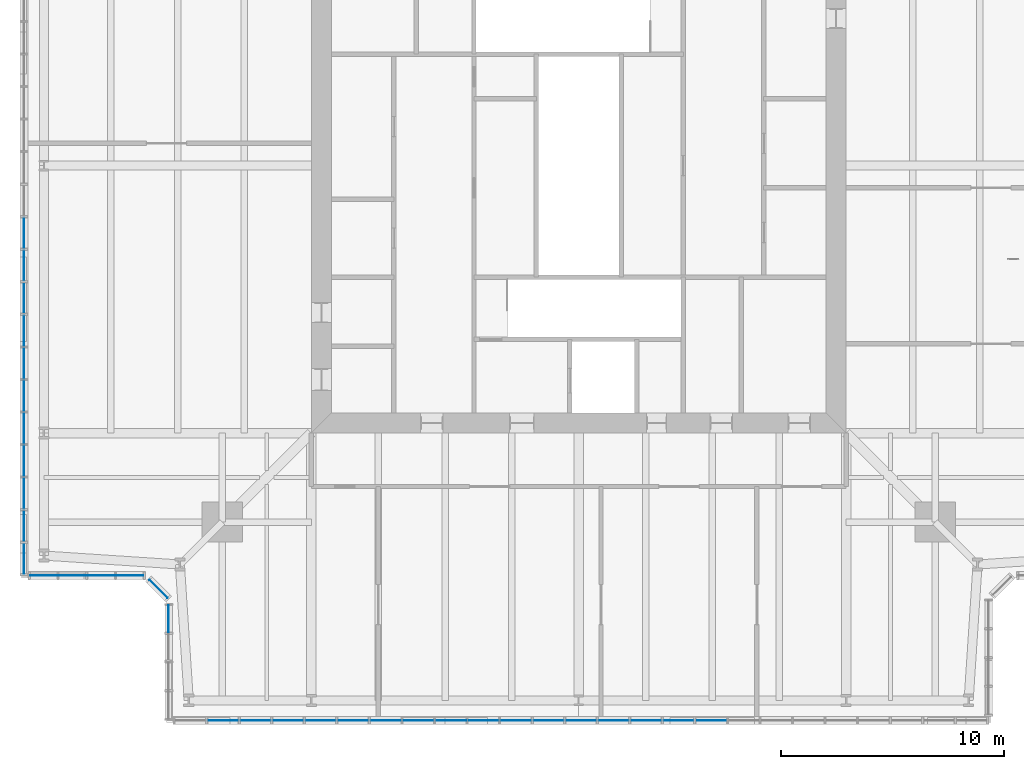
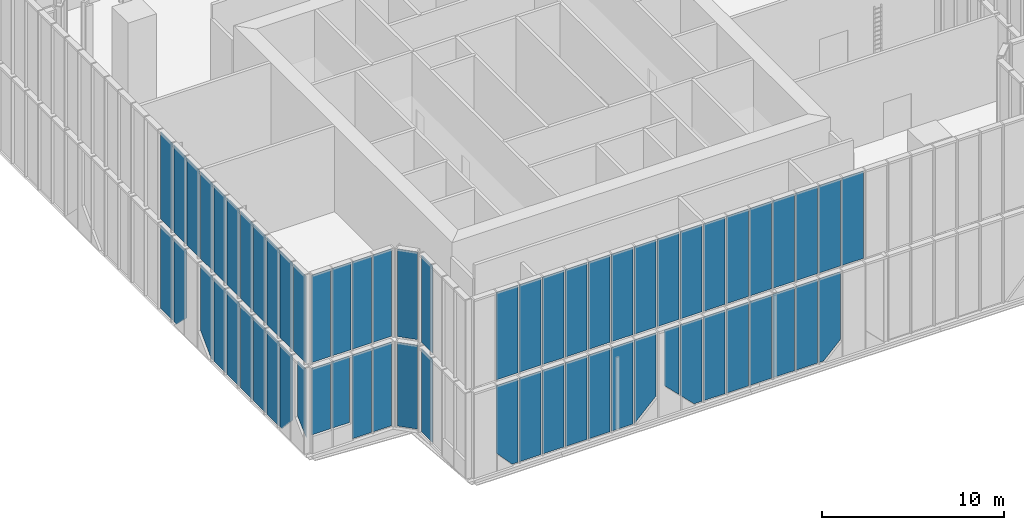
# One storey, part 13 of 25: 64 plates, 10 elements without a shape of their own.
"""IFC4 building model written with IfcOpenShell, lengths in metres."""

from ifc_helpers import new_model, si_unit, direction, frame, origin, origin_2d, place, context, subcontext, project, spatial, polyline, rectangle, outline, extrude, material, layer, layer_set, type_object, element, aggregate, save


model = new_model("IFC4")

# Units and contexts
model_context = context("Model", 3, precision=1e-05, world=origin(), true_north=direction((0.0, 1.0)))
body_context = subcontext(model_context, "Body", "Model", "MODEL_VIEW")
ifc_project = project(units=[si_unit("LENGTHUNIT", "METRE"), si_unit("AREAUNIT", "SQUARE_METRE"), si_unit("VOLUMEUNIT", "CUBIC_METRE"), si_unit("PLANEANGLEUNIT", "RADIAN"), si_unit("MASSUNIT", "GRAM", prefix="KILO")], contexts=[model_context])

# Site, building, storey
site_placement = place(None, origin())
site = spatial("IfcSite", under=ifc_project, at=site_placement, CompositionType="ELEMENT")
building_placement = place(site_placement, origin())
building = spatial("IfcBuilding", under=site, at=building_placement, Name="Fenwick Lantern Interchange", CompositionType="ELEMENT")
storey_placement = place(building_placement, frame((0.0, 0.0, 307.800048828125)))
storey = spatial("IfcBuildingStorey", under=building, at=storey_placement, Name="L74", CompositionType="ELEMENT", Elevation=307.800048828125)

# Curtain wall, plates
ifc_material_1 = material(Name="Aluminium curtain wall frame", Category="aluminium")
curtain_wall_type = type_object("IfcCurtainWallType", Name="LANTERN GLAZING", PredefinedType="USERDEFINED", material=ifc_material_1)
curtain_wall_1_placement = place(storey_placement, origin())
curtain_wall_1 = element("IfcCurtainWall", 1, at=curtain_wall_1_placement, inside=storey, type_object=curtain_wall_type, Name="Lantern glazing 01", ObjectType="LANTERN GLAZING", PredefinedType="USERDEFINED")
ifc_material_2 = material(Name="Lantern glass, fritted laminated single glazing", Category="glass")
ifc_layer = layer(ifc_material_2, 0.02197265625)
ifc_layer_set = layer_set([ifc_layer], Name="LANTERN GLAZING PANEL 22")
plate_type = type_object("IfcPlateType", Name="LANTERN GLAZING PANEL 22", PredefinedType="CURTAIN_PANEL", material=ifc_layer_set)
plate_1_placement = place(storey_placement, frame((6.60009765625, 0.10009765625, 0.0), z_axis=(0.0, 0.0, 1.0), x_axis=(1.0, 0.0, 0.0)))
plate_1 = element("IfcPlate", 2, at=plate_1_placement, type_object=plate_type, Name="L74/CW/01/P01a", PredefinedType="CURTAIN_PANEL", context=body_context, shape_type="SweptSolid", body=[
    extrude(outline(polyline([(2.74609375, 0.0), (3.12158203125, 0.0), (3.12158203125, 5.60986328125), (1.74072265625, 5.60986328125), (1.74072265625, 1.096435546875), (2.74609375, 0.0)])), frame((0.0, 0.010986328125, 0.0), z_axis=(0.0, -1.0, 0.0), x_axis=(1.0, 0.0, 0.0)), (0.0, 0.0, 1.0), 0.02197265625),
])
plate_2_placement = place(storey_placement, frame((10.491943359375, 0.10009765625, 0.0), z_axis=(0.0, 0.0, 1.0), x_axis=(1.0, 0.0, 0.0)))
plate_2 = element("IfcPlate", 3, at=plate_2_placement, type_object=plate_type, Name="L74/CW/01/P02", PredefinedType="CURTAIN_PANEL", context=body_context, shape_type="SweptSolid", body=[
    extrude(rectangle(XDim=1.380859375, YDim=0.02197265625, at=origin_2d()), origin(), (0.0, 0.0, 1.0), 5.610107421875),
])
plate_3_placement = place(storey_placement, frame((11.952880859375, 0.10009765625, 0.0), z_axis=(0.0, 0.0, 1.0), x_axis=(1.0, 0.0, 0.0)))
plate_3 = element("IfcPlate", 4, at=plate_3_placement, type_object=plate_type, Name="L74/CW/01/P03", PredefinedType="CURTAIN_PANEL", context=body_context, shape_type="SweptSolid", body=[
    extrude(rectangle(XDim=1.380859375, YDim=0.02197265625, at=origin_2d()), origin(), (0.0, 0.0, 1.0), 5.610107421875),
])
plate_4_placement = place(storey_placement, frame((13.41357421875, 0.10009765625, 0.0), z_axis=(0.0, 0.0, 1.0), x_axis=(1.0, 0.0, 0.0)))
plate_4 = element("IfcPlate", 5, at=plate_4_placement, type_object=plate_type, Name="L74/CW/01/P04", PredefinedType="CURTAIN_PANEL", context=body_context, shape_type="SweptSolid", body=[
    extrude(rectangle(XDim=1.380859375, YDim=0.02197265625, at=origin_2d()), origin(), (0.0, 0.0, 1.0), 5.610107421875),
])
plate_5_placement = place(storey_placement, frame((14.87451171875, 0.10009765625, 0.0), z_axis=(0.0, 0.0, 1.0), x_axis=(1.0, 0.0, 0.0)))
plate_5 = element("IfcPlate", 6, at=plate_5_placement, type_object=plate_type, Name="L74/CW/01/P05", PredefinedType="CURTAIN_PANEL", context=body_context, shape_type="SweptSolid", body=[
    extrude(rectangle(XDim=1.380859375, YDim=0.02197265625, at=origin_2d()), origin(), (0.0, 0.0, 1.0), 5.610107421875),
])
plate_6_placement = place(storey_placement, frame((16.335205078125, 0.10009765625, 0.0), z_axis=(0.0, 0.0, 1.0), x_axis=(1.0, 0.0, 0.0)))
plate_6 = element("IfcPlate", 7, at=plate_6_placement, type_object=plate_type, Name="L74/CW/01/P06", PredefinedType="CURTAIN_PANEL", context=body_context, shape_type="SweptSolid", body=[
    extrude(rectangle(XDim=1.380859375, YDim=0.02197265625, at=origin_2d()), origin(), (0.0, 0.0, 1.0), 5.610107421875),
])
plate_7_placement = place(storey_placement, frame((6.60009765625, 0.10009765625, 0.001220703125), z_axis=(0.0, 0.0, 1.0), x_axis=(1.0, 0.0, 0.0)))
plate_7 = element("IfcPlate", 8, at=plate_7_placement, type_object=plate_type, Name="L74/CW/01/P07a", PredefinedType="CURTAIN_PANEL", context=body_context, shape_type="SweptSolid", body=[
    extrude(outline(polyline([(10.505615234375, 0.0), (11.886474609375, 1.380615234375), (11.886474609375, 5.608642578125), (10.505615234375, 5.608642578125), (10.505615234375, 0.0)])), frame((0.0, 0.010986328125, 0.0), z_axis=(0.0, -1.0, 0.0), x_axis=(1.0, 0.0, 0.0)), (0.0, 0.0, 1.0), 0.02197265625),
])
plate_8_placement = place(storey_placement, frame((6.60009765625, 0.10009765625, 0.9482421875), z_axis=(0.0, 0.0, 1.0), x_axis=(1.0, 0.0, 0.0)))
plate_8 = element("IfcPlate", 9, at=plate_8_placement, type_object=plate_type, Name="L74/CW/01/P08a", PredefinedType="CURTAIN_PANEL", context=body_context, shape_type="SweptSolid", body=[
    extrude(outline(polyline([(13.34716796875, 0.0), (13.34716796875, 4.66162109375), (12.39990234375, 4.66162109375), (12.39990234375, 0.947265625), (13.34716796875, 0.0)])), frame((0.0, 0.010986328125, 0.0), z_axis=(0.0, -1.0, 0.0), x_axis=(1.0, 0.0, 0.0)), (0.0, 0.0, 1.0), 0.02197265625),
])
plate_9_placement = place(storey_placement, frame((6.60009765625, 0.10009765625, 0.0), z_axis=(0.0, 0.0, 1.0), x_axis=(1.0, 0.0, 0.0)))
plate_9 = element("IfcPlate", 10, at=plate_9_placement, type_object=plate_type, Name="L74/CW/01/P09a", PredefinedType="CURTAIN_PANEL", context=body_context, shape_type="SweptSolid", body=[
    extrude(outline(polyline([(14.295654296875, 0.0), (14.80810546875, 0.0), (14.80810546875, 5.60986328125), (13.42724609375, 5.60986328125), (13.42724609375, 0.868408203125), (14.295654296875, 0.0)])), frame((0.0, 0.010986328125, 0.0), z_axis=(0.0, -1.0, 0.0), x_axis=(1.0, 0.0, 0.0)), (0.0, 0.0, 1.0), 0.02197265625),
])
plate_10_placement = place(storey_placement, frame((22.178466796875, 0.10009765625, 0.0), z_axis=(0.0, 0.0, 1.0), x_axis=(1.0, 0.0, 0.0)))
plate_10 = element("IfcPlate", 11, at=plate_10_placement, type_object=plate_type, Name="L74/CW/01/P10", PredefinedType="CURTAIN_PANEL", context=body_context, shape_type="SweptSolid", body=[
    extrude(rectangle(XDim=1.380859375, YDim=0.02197265625, at=origin_2d()), origin(), (0.0, 0.0, 1.0), 5.610107421875),
])
plate_11_placement = place(storey_placement, frame((23.63916015625, 0.10009765625, 0.0), z_axis=(0.0, 0.0, 1.0), x_axis=(1.0, 0.0, 0.0)))
plate_11 = element("IfcPlate", 12, at=plate_11_placement, type_object=plate_type, Name="L74/CW/01/P11", PredefinedType="CURTAIN_PANEL", context=body_context, shape_type="SweptSolid", body=[
    extrude(rectangle(XDim=1.380859375, YDim=0.02197265625, at=origin_2d()), origin(), (0.0, 0.0, 1.0), 5.610107421875),
])
plate_12_placement = place(storey_placement, frame((25.10009765625, 0.10009765625, 0.0), z_axis=(0.0, 0.0, 1.0), x_axis=(1.0, 0.0, 0.0)))
plate_12 = element("IfcPlate", 13, at=plate_12_placement, type_object=plate_type, Name="L74/CW/01/P12", PredefinedType="CURTAIN_PANEL", context=body_context, shape_type="SweptSolid", body=[
    extrude(rectangle(XDim=1.380859375, YDim=0.02197265625, at=origin_2d()), origin(), (0.0, 0.0, 1.0), 5.610107421875),
])
plate_13_placement = place(storey_placement, frame((26.560791015625, 0.10009765625, 0.0), z_axis=(0.0, 0.0, 1.0), x_axis=(1.0, 0.0, 0.0)))
plate_13 = element("IfcPlate", 14, at=plate_13_placement, type_object=plate_type, Name="L74/CW/01/P13", PredefinedType="CURTAIN_PANEL", context=body_context, shape_type="SweptSolid", body=[
    extrude(rectangle(XDim=1.380859375, YDim=0.02197265625, at=origin_2d()), origin(), (0.0, 0.0, 1.0), 5.610107421875),
])
plate_14_placement = place(storey_placement, frame((28.021484375, 0.10009765625, 0.0), z_axis=(0.0, 0.0, 1.0), x_axis=(1.0, 0.0, 0.0)))
plate_14 = element("IfcPlate", 15, at=plate_14_placement, type_object=plate_type, Name="L74/CW/01/P14", PredefinedType="CURTAIN_PANEL", context=body_context, shape_type="SweptSolid", body=[
    extrude(rectangle(XDim=1.380859375, YDim=0.02197265625, at=origin_2d()), origin(), (0.0, 0.0, 1.0), 5.610107421875),
])
plate_15_placement = place(storey_placement, frame((6.60009765625, 0.10009765625, 0.0), z_axis=(0.0, 0.0, 1.0), x_axis=(1.0, 0.0, 0.0)))
plate_15 = element("IfcPlate", 16, at=plate_15_placement, type_object=plate_type, Name="L74/CW/01/P15a", PredefinedType="CURTAIN_PANEL", context=body_context, shape_type="SweptSolid", body=[
    extrude(outline(polyline([(22.19189453125, 0.0), (22.50439453125, 0.0), (23.57275390625, 1.068359375), (23.57275390625, 5.60986328125), (22.19189453125, 5.60986328125), (22.19189453125, 0.0)])), frame((0.0, 0.010986328125, 0.0), z_axis=(0.0, -1.0, 0.0), x_axis=(1.0, 0.0, 0.0)), (0.0, 0.0, 1.0), 0.02197265625),
])
aggregate(curtain_wall_1, [plate_1, plate_2, plate_3, plate_4, plate_5, plate_6, plate_7, plate_8, plate_9, plate_10, plate_11, plate_12, plate_13, plate_14, plate_15])

curtain_wall_2_placement = place(storey_placement, origin())
curtain_wall_2 = element("IfcCurtainWall", 17, at=curtain_wall_2_placement, inside=storey, type_object=curtain_wall_type, Name="Lantern glazing 13", ObjectType="LANTERN GLAZING", PredefinedType="USERDEFINED")
plate_16_placement = place(storey_placement, frame((0.10009765625, 21.978515625, 0.0), z_axis=(0.0, 0.0, 1.0), x_axis=(0.0, -1.0, 0.0)))
plate_16 = element("IfcPlate", 18, at=plate_16_placement, type_object=plate_type, Name="L74/CW/13/P14", PredefinedType="CURTAIN_PANEL", context=body_context, shape_type="SweptSolid", body=[
    extrude(rectangle(XDim=1.380859375, YDim=0.02197265625, at=origin_2d()), origin(), (0.0, 0.0, 1.0), 5.610107421875),
])
plate_17_placement = place(storey_placement, frame((0.10009765625, 43.39990234375, 0.0), z_axis=(0.0, 0.0, 1.0), x_axis=(0.0, -1.0, 0.0)))
plate_17 = element("IfcPlate", 19, at=plate_17_placement, type_object=plate_type, Name="L74/CW/13/P15a", PredefinedType="CURTAIN_PANEL", context=body_context, shape_type="SweptSolid", body=[
    extrude(outline(polyline([(22.19189453125, 0.0), (22.50439453125, 0.0), (23.57275390625, 1.068359375), (23.57275390625, 5.60986328125), (22.19189453125, 5.60986328125), (22.19189453125, 0.0)])), frame((0.0, 0.010986328125, 0.0), z_axis=(0.0, -1.0, 0.0), x_axis=(1.0, 0.0, 0.0)), (0.0, 0.0, 1.0), 0.02197265625),
])
plate_18_placement = place(storey_placement, frame((0.10009765625, 43.39990234375, 0.0), z_axis=(0.0, 0.0, 1.0), x_axis=(0.0, -1.0, 0.0)))
plate_18 = element("IfcPlate", 20, at=plate_18_placement, type_object=plate_type, Name="L74/CW/13/P17a", PredefinedType="CURTAIN_PANEL", context=body_context, shape_type="SweptSolid", body=[
    extrude(outline(polyline([(26.295654296875, 0.0), (26.494384765625, 0.0), (26.494384765625, 5.60986328125), (25.113525390625, 5.60986328125), (25.113525390625, 1.181884765625), (26.295654296875, 0.0)])), frame((0.0, 0.010986328125, 0.0), z_axis=(0.0, -1.0, 0.0), x_axis=(1.0, 0.0, 0.0)), (0.0, 0.0, 1.0), 0.02197265625),
])
plate_19_placement = place(storey_placement, frame((0.10009765625, 16.13525390625, 0.0), z_axis=(0.0, 0.0, 1.0), x_axis=(0.0, -1.0, 0.0)))
plate_19 = element("IfcPlate", 21, at=plate_19_placement, type_object=plate_type, Name="L74/CW/13/P18", PredefinedType="CURTAIN_PANEL", context=body_context, shape_type="SweptSolid", body=[
    extrude(rectangle(XDim=1.380859375, YDim=0.02197265625, at=origin_2d()), origin(), (0.0, 0.0, 1.0), 5.610107421875),
])
plate_20_placement = place(storey_placement, frame((0.10009765625, 14.67431640625, 0.0), z_axis=(0.0, 0.0, 1.0), x_axis=(0.0, -1.0, 0.0)))
plate_20 = element("IfcPlate", 22, at=plate_20_placement, type_object=plate_type, Name="L74/CW/13/P19", PredefinedType="CURTAIN_PANEL", context=body_context, shape_type="SweptSolid", body=[
    extrude(rectangle(XDim=1.380859375, YDim=0.02197265625, at=origin_2d()), origin(), (0.0, 0.0, 1.0), 5.610107421875),
])
plate_21_placement = place(storey_placement, frame((0.10009765625, 13.213623046875, 0.0), z_axis=(0.0, 0.0, 1.0), x_axis=(0.0, -1.0, 0.0)))
plate_21 = element("IfcPlate", 23, at=plate_21_placement, type_object=plate_type, Name="L74/CW/13/P20", PredefinedType="CURTAIN_PANEL", context=body_context, shape_type="SweptSolid", body=[
    extrude(rectangle(XDim=1.380859375, YDim=0.02197265625, at=origin_2d()), origin(), (0.0, 0.0, 1.0), 5.610107421875),
])
plate_22_placement = place(storey_placement, frame((0.10009765625, 11.752685546875, 0.0), z_axis=(0.0, 0.0, 1.0), x_axis=(0.0, -1.0, 0.0)))
plate_22 = element("IfcPlate", 24, at=plate_22_placement, type_object=plate_type, Name="L74/CW/13/P21", PredefinedType="CURTAIN_PANEL", context=body_context, shape_type="SweptSolid", body=[
    extrude(rectangle(XDim=1.380859375, YDim=0.02197265625, at=origin_2d()), origin(), (0.0, 0.0, 1.0), 5.610107421875),
])
plate_23_placement = place(storey_placement, frame((0.10009765625, 10.2919921875, 0.0), z_axis=(0.0, 0.0, 1.0), x_axis=(0.0, -1.0, 0.0)))
plate_23 = element("IfcPlate", 25, at=plate_23_placement, type_object=plate_type, Name="L74/CW/13/P22", PredefinedType="CURTAIN_PANEL", context=body_context, shape_type="SweptSolid", body=[
    extrude(rectangle(XDim=1.380859375, YDim=0.02197265625, at=origin_2d()), origin(), (0.0, 0.0, 1.0), 5.610107421875),
])
plate_24_placement = place(storey_placement, frame((0.10009765625, 43.39990234375, 0.0), z_axis=(0.0, 0.0, 1.0), x_axis=(0.0, -1.0, 0.0)))
plate_24 = element("IfcPlate", 26, at=plate_24_placement, type_object=plate_type, Name="L74/CW/13/P23a", PredefinedType="CURTAIN_PANEL", context=body_context, shape_type="SweptSolid", body=[
    extrude(outline(polyline([(33.87841796875, 0.0), (34.053955078125, 0.0), (35.25927734375, 1.314697265625), (35.25927734375, 5.60986328125), (33.87841796875, 5.60986328125), (33.87841796875, 0.0)])), frame((0.0, 0.010986328125, 0.0), z_axis=(0.0, -1.0, 0.0), x_axis=(1.0, 0.0, 0.0)), (0.0, 0.0, 1.0), 0.02197265625),
])
plate_25_placement = place(storey_placement, frame((0.10009765625, 43.39990234375, 1.0400390625), z_axis=(0.0, 0.0, 1.0), x_axis=(0.0, -1.0, 0.0)))
plate_25 = element("IfcPlate", 27, at=plate_25_placement, type_object=plate_type, Name="L74/CW/13/P24a", PredefinedType="CURTAIN_PANEL", context=body_context, shape_type="SweptSolid", body=[
    extrude(outline(polyline([(36.719970703125, 0.0), (36.719970703125, 4.56982421875), (35.789306640625, 4.56982421875), (35.789306640625, 0.85302734375), (36.719970703125, 0.0)])), frame((0.0, 0.010986328125, 0.0), z_axis=(0.0, -1.0, 0.0), x_axis=(1.0, 0.0, 0.0)), (0.0, 0.0, 1.0), 0.02197265625),
])
aggregate(curtain_wall_2, [plate_16, plate_17, plate_18, plate_19, plate_20, plate_21, plate_22, plate_23, plate_24, plate_25])

curtain_wall_3_placement = place(storey_placement, origin())
curtain_wall_3 = element("IfcCurtainWall", 28, at=curtain_wall_3_placement, inside=storey, type_object=curtain_wall_type, Name="Lantern glazing 14", ObjectType="LANTERN GLAZING", PredefinedType="USERDEFINED")
plate_26_placement = place(storey_placement, frame((0.10009765625, 6.60009765625, 1.14990234375), z_axis=(0.0, 0.0, 1.0), x_axis=(1.0, 0.0, 0.0)))
plate_26 = element("IfcPlate", 29, at=plate_26_placement, type_object=plate_type, Name="L74/CW/14/P00a", PredefinedType="CURTAIN_PANEL", context=body_context, shape_type="SweptSolid", body=[
    extrude(outline(polyline([(0.280029296875, 0.0), (1.490234375, 0.0), (1.490234375, 4.4599609375), (0.280029296875, 4.4599609375), (0.280029296875, 0.0)])), frame((0.0, 0.010986328125, 0.0), z_axis=(0.0, -1.0, 0.0), x_axis=(1.0, 0.0, 0.0)), (0.0, 0.0, 1.0), 0.02197265625),
])
plate_27_placement = place(storey_placement, frame((0.10009765625, 6.60009765625, 1.14990234375), z_axis=(0.0, 0.0, 1.0), x_axis=(1.0, 0.0, 0.0)))
plate_27 = element("IfcPlate", 30, at=plate_27_placement, type_object=plate_type, Name="L74/CW/14/P01a", PredefinedType="CURTAIN_PANEL", context=body_context, shape_type="SweptSolid", body=[
    extrude(outline(polyline([(1.5703125, 0.0), (2.699951171875, 0.0), (2.699951171875, 4.4599609375), (1.5703125, 4.4599609375), (1.5703125, 0.0)])), frame((0.0, 0.010986328125, 0.0), z_axis=(0.0, -1.0, 0.0), x_axis=(1.0, 0.0, 0.0)), (0.0, 0.0, 1.0), 0.02197265625),
])
plate_28_placement = place(storey_placement, frame((3.56591796875, 6.60009765625, 0.0), z_axis=(0.0, 0.0, 1.0), x_axis=(1.0, 0.0, 0.0)))
plate_28 = element("IfcPlate", 31, at=plate_28_placement, type_object=plate_type, Name="L74/CW/14/P02", PredefinedType="CURTAIN_PANEL", context=body_context, shape_type="SweptSolid", body=[
    extrude(rectangle(XDim=1.21044921875, YDim=0.02197265625, at=origin_2d()), origin(), (0.0, 0.0, 1.0), 5.610107421875),
])
plate_29_placement = place(storey_placement, frame((4.856201171875, 6.60009765625, 0.0), z_axis=(0.0, 0.0, 1.0), x_axis=(1.0, 0.0, 0.0)))
plate_29 = element("IfcPlate", 32, at=plate_29_placement, type_object=plate_type, Name="L74/CW/14/P03", PredefinedType="CURTAIN_PANEL", context=body_context, shape_type="SweptSolid", body=[
    extrude(rectangle(XDim=1.21044921875, YDim=0.02197265625, at=origin_2d()), origin(), (0.0, 0.0, 1.0), 5.610107421875),
])
aggregate(curtain_wall_3, [plate_26, plate_27, plate_28, plate_29])

# Curtain wall, plate
curtain_wall_4_placement = place(storey_placement, origin())
curtain_wall_4 = element("IfcCurtainWall", 33, at=curtain_wall_4_placement, inside=storey, type_object=curtain_wall_type, Name="Lantern glazing 15", ObjectType="LANTERN GLAZING", PredefinedType="USERDEFINED")
plate_30_placement = place(storey_placement, frame((6.141357421875, 6.0, 0.0), z_axis=(0.0, 0.0, 1.0), x_axis=(0.707106781187, -0.707106781187, 0.0)))
plate_30 = element("IfcPlate", 34, at=plate_30_placement, type_object=plate_type, Name="L74/CW/15/P00", PredefinedType="CURTAIN_PANEL", context=body_context, shape_type="SweptSolid", body=[
    extrude(rectangle(XDim=1.136962890625, YDim=0.02197265625, at=origin_2d()), origin(), (0.0, 0.0, 1.0), 5.610107421875),
])
aggregate(curtain_wall_4, [plate_30])

curtain_wall_5_placement = place(storey_placement, origin())
curtain_wall_5 = element("IfcCurtainWall", 35, at=curtain_wall_5_placement, inside=storey, type_object=curtain_wall_type, Name="Lantern glazing 16", ObjectType="LANTERN GLAZING", PredefinedType="USERDEFINED")
plate_31_placement = place(storey_placement, frame((6.60009765625, 4.65625, 0.0), z_axis=(0.0, 0.0, 1.0), x_axis=(0.0, -1.0, 0.0)))
plate_31 = element("IfcPlate", 36, at=plate_31_placement, type_object=plate_type, Name="L74/CW/16/P00", PredefinedType="CURTAIN_PANEL", context=body_context, shape_type="SweptSolid", body=[
    extrude(rectangle(XDim=1.21044921875, YDim=0.02197265625, at=origin_2d()), origin(), (0.0, 0.0, 1.0), 5.610107421875),
])
aggregate(curtain_wall_5, [plate_31])

# Curtain wall, plates
curtain_wall_6_placement = place(storey_placement, origin())
curtain_wall_6 = element("IfcCurtainWall", 37, at=curtain_wall_6_placement, inside=storey, type_object=curtain_wall_type, Name="Lantern glazing 01", ObjectType="LANTERN GLAZING", PredefinedType="USERDEFINED")
plate_32_placement = place(storey_placement, frame((9.03125, 0.10009765625, 6.0), z_axis=(0.0, 0.0, 1.0), x_axis=(1.0, 0.0, 0.0)))
plate_32 = element("IfcPlate", 38, at=plate_32_placement, type_object=plate_type, Name="RF/LANTERN/01/P01", PredefinedType="CURTAIN_PANEL", context=body_context, shape_type="SweptSolid", body=[
    extrude(rectangle(XDim=1.380859375, YDim=0.02197265625, at=origin_2d()), origin(), (0.0, 0.0, 1.0), 5.860107421875),
])
plate_33_placement = place(storey_placement, frame((10.491943359375, 0.10009765625, 6.0), z_axis=(0.0, 0.0, 1.0), x_axis=(1.0, 0.0, 0.0)))
plate_33 = element("IfcPlate", 39, at=plate_33_placement, type_object=plate_type, Name="RF/LANTERN/01/P02", PredefinedType="CURTAIN_PANEL", context=body_context, shape_type="SweptSolid", body=[
    extrude(rectangle(XDim=1.380859375, YDim=0.02197265625, at=origin_2d()), origin(), (0.0, 0.0, 1.0), 5.860107421875),
])
plate_34_placement = place(storey_placement, frame((11.952880859375, 0.10009765625, 6.0), z_axis=(0.0, 0.0, 1.0), x_axis=(1.0, 0.0, 0.0)))
plate_34 = element("IfcPlate", 40, at=plate_34_placement, type_object=plate_type, Name="RF/LANTERN/01/P03", PredefinedType="CURTAIN_PANEL", context=body_context, shape_type="SweptSolid", body=[
    extrude(rectangle(XDim=1.380859375, YDim=0.02197265625, at=origin_2d()), origin(), (0.0, 0.0, 1.0), 5.860107421875),
])
plate_35_placement = place(storey_placement, frame((13.41357421875, 0.10009765625, 6.0), z_axis=(0.0, 0.0, 1.0), x_axis=(1.0, 0.0, 0.0)))
plate_35 = element("IfcPlate", 41, at=plate_35_placement, type_object=plate_type, Name="RF/LANTERN/01/P04", PredefinedType="CURTAIN_PANEL", context=body_context, shape_type="SweptSolid", body=[
    extrude(rectangle(XDim=1.380859375, YDim=0.02197265625, at=origin_2d()), origin(), (0.0, 0.0, 1.0), 5.860107421875),
])
plate_36_placement = place(storey_placement, frame((14.87451171875, 0.10009765625, 6.0), z_axis=(0.0, 0.0, 1.0), x_axis=(1.0, 0.0, 0.0)))
plate_36 = element("IfcPlate", 42, at=plate_36_placement, type_object=plate_type, Name="RF/LANTERN/01/P05", PredefinedType="CURTAIN_PANEL", context=body_context, shape_type="SweptSolid", body=[
    extrude(rectangle(XDim=1.380859375, YDim=0.02197265625, at=origin_2d()), origin(), (0.0, 0.0, 1.0), 5.860107421875),
])
plate_37_placement = place(storey_placement, frame((16.335205078125, 0.10009765625, 6.0), z_axis=(0.0, 0.0, 1.0), x_axis=(1.0, 0.0, 0.0)))
plate_37 = element("IfcPlate", 43, at=plate_37_placement, type_object=plate_type, Name="RF/LANTERN/01/P06", PredefinedType="CURTAIN_PANEL", context=body_context, shape_type="SweptSolid", body=[
    extrude(rectangle(XDim=1.380859375, YDim=0.02197265625, at=origin_2d()), origin(), (0.0, 0.0, 1.0), 5.860107421875),
])
plate_38_placement = place(storey_placement, frame((17.7958984375, 0.10009765625, 6.0), z_axis=(0.0, 0.0, 1.0), x_axis=(1.0, 0.0, 0.0)))
plate_38 = element("IfcPlate", 44, at=plate_38_placement, type_object=plate_type, Name="RF/LANTERN/01/P07", PredefinedType="CURTAIN_PANEL", context=body_context, shape_type="SweptSolid", body=[
    extrude(rectangle(XDim=1.380859375, YDim=0.02197265625, at=origin_2d()), origin(), (0.0, 0.0, 1.0), 5.860107421875),
])
plate_39_placement = place(storey_placement, frame((19.2568359375, 0.10009765625, 6.0), z_axis=(0.0, 0.0, 1.0), x_axis=(1.0, 0.0, 0.0)))
plate_39 = element("IfcPlate", 45, at=plate_39_placement, type_object=plate_type, Name="RF/LANTERN/01/P08", PredefinedType="CURTAIN_PANEL", context=body_context, shape_type="SweptSolid", body=[
    extrude(rectangle(XDim=1.380859375, YDim=0.02197265625, at=origin_2d()), origin(), (0.0, 0.0, 1.0), 5.860107421875),
])
plate_40_placement = place(storey_placement, frame((20.717529296875, 0.10009765625, 6.0), z_axis=(0.0, 0.0, 1.0), x_axis=(1.0, 0.0, 0.0)))
plate_40 = element("IfcPlate", 46, at=plate_40_placement, type_object=plate_type, Name="RF/LANTERN/01/P09", PredefinedType="CURTAIN_PANEL", context=body_context, shape_type="SweptSolid", body=[
    extrude(rectangle(XDim=1.380859375, YDim=0.02197265625, at=origin_2d()), origin(), (0.0, 0.0, 1.0), 5.860107421875),
])
plate_41_placement = place(storey_placement, frame((22.178466796875, 0.10009765625, 6.0), z_axis=(0.0, 0.0, 1.0), x_axis=(1.0, 0.0, 0.0)))
plate_41 = element("IfcPlate", 47, at=plate_41_placement, type_object=plate_type, Name="RF/LANTERN/01/P10", PredefinedType="CURTAIN_PANEL", context=body_context, shape_type="SweptSolid", body=[
    extrude(rectangle(XDim=1.380859375, YDim=0.02197265625, at=origin_2d()), origin(), (0.0, 0.0, 1.0), 5.860107421875),
])
plate_42_placement = place(storey_placement, frame((23.63916015625, 0.10009765625, 6.0), z_axis=(0.0, 0.0, 1.0), x_axis=(1.0, 0.0, 0.0)))
plate_42 = element("IfcPlate", 48, at=plate_42_placement, type_object=plate_type, Name="RF/LANTERN/01/P11", PredefinedType="CURTAIN_PANEL", context=body_context, shape_type="SweptSolid", body=[
    extrude(rectangle(XDim=1.380859375, YDim=0.02197265625, at=origin_2d()), origin(), (0.0, 0.0, 1.0), 5.860107421875),
])
plate_43_placement = place(storey_placement, frame((25.10009765625, 0.10009765625, 6.0), z_axis=(0.0, 0.0, 1.0), x_axis=(1.0, 0.0, 0.0)))
plate_43 = element("IfcPlate", 49, at=plate_43_placement, type_object=plate_type, Name="RF/LANTERN/01/P12", PredefinedType="CURTAIN_PANEL", context=body_context, shape_type="SweptSolid", body=[
    extrude(rectangle(XDim=1.380859375, YDim=0.02197265625, at=origin_2d()), origin(), (0.0, 0.0, 1.0), 5.860107421875),
])
plate_44_placement = place(storey_placement, frame((26.560791015625, 0.10009765625, 6.0), z_axis=(0.0, 0.0, 1.0), x_axis=(1.0, 0.0, 0.0)))
plate_44 = element("IfcPlate", 50, at=plate_44_placement, type_object=plate_type, Name="RF/LANTERN/01/P13", PredefinedType="CURTAIN_PANEL", context=body_context, shape_type="SweptSolid", body=[
    extrude(rectangle(XDim=1.380859375, YDim=0.02197265625, at=origin_2d()), origin(), (0.0, 0.0, 1.0), 5.860107421875),
])
plate_45_placement = place(storey_placement, frame((28.021484375, 0.10009765625, 6.0), z_axis=(0.0, 0.0, 1.0), x_axis=(1.0, 0.0, 0.0)))
plate_45 = element("IfcPlate", 51, at=plate_45_placement, type_object=plate_type, Name="RF/LANTERN/01/P14", PredefinedType="CURTAIN_PANEL", context=body_context, shape_type="SweptSolid", body=[
    extrude(rectangle(XDim=1.380859375, YDim=0.02197265625, at=origin_2d()), origin(), (0.0, 0.0, 1.0), 5.860107421875),
])
plate_46_placement = place(storey_placement, frame((29.482421875, 0.10009765625, 6.0), z_axis=(0.0, 0.0, 1.0), x_axis=(1.0, 0.0, 0.0)))
plate_46 = element("IfcPlate", 52, at=plate_46_placement, type_object=plate_type, Name="RF/LANTERN/01/P15", PredefinedType="CURTAIN_PANEL", context=body_context, shape_type="SweptSolid", body=[
    extrude(rectangle(XDim=1.380859375, YDim=0.02197265625, at=origin_2d()), origin(), (0.0, 0.0, 1.0), 5.860107421875),
])
plate_47_placement = place(storey_placement, frame((30.943115234375, 0.10009765625, 6.0), z_axis=(0.0, 0.0, 1.0), x_axis=(1.0, 0.0, 0.0)))
plate_47 = element("IfcPlate", 53, at=plate_47_placement, type_object=plate_type, Name="RF/LANTERN/01/P16", PredefinedType="CURTAIN_PANEL", context=body_context, shape_type="SweptSolid", body=[
    extrude(rectangle(XDim=1.380859375, YDim=0.02197265625, at=origin_2d()), origin(), (0.0, 0.0, 1.0), 5.860107421875),
])
aggregate(curtain_wall_6, [plate_32, plate_33, plate_34, plate_35, plate_36, plate_37, plate_38, plate_39, plate_40, plate_41, plate_42, plate_43, plate_44, plate_45, plate_46, plate_47])

curtain_wall_7_placement = place(storey_placement, origin())
curtain_wall_7 = element("IfcCurtainWall", 54, at=curtain_wall_7_placement, inside=storey, type_object=curtain_wall_type, Name="Lantern glazing 13", ObjectType="LANTERN GLAZING", PredefinedType="USERDEFINED")
plate_48_placement = place(storey_placement, frame((0.10009765625, 21.978515625, 6.0), z_axis=(0.0, 0.0, 1.0), x_axis=(0.0, -1.0, 0.0)))
plate_48 = element("IfcPlate", 55, at=plate_48_placement, type_object=plate_type, Name="RF/LANTERN/13/P14", PredefinedType="CURTAIN_PANEL", context=body_context, shape_type="SweptSolid", body=[
    extrude(rectangle(XDim=1.380859375, YDim=0.02197265625, at=origin_2d()), origin(), (0.0, 0.0, 1.0), 5.860107421875),
])
plate_49_placement = place(storey_placement, frame((0.10009765625, 20.517578125, 6.0), z_axis=(0.0, 0.0, 1.0), x_axis=(0.0, -1.0, 0.0)))
plate_49 = element("IfcPlate", 56, at=plate_49_placement, type_object=plate_type, Name="RF/LANTERN/13/P15", PredefinedType="CURTAIN_PANEL", context=body_context, shape_type="SweptSolid", body=[
    extrude(rectangle(XDim=1.380859375, YDim=0.02197265625, at=origin_2d()), origin(), (0.0, 0.0, 1.0), 5.860107421875),
])
plate_50_placement = place(storey_placement, frame((0.10009765625, 19.056884765625, 6.0), z_axis=(0.0, 0.0, 1.0), x_axis=(0.0, -1.0, 0.0)))
plate_50 = element("IfcPlate", 57, at=plate_50_placement, type_object=plate_type, Name="RF/LANTERN/13/P16", PredefinedType="CURTAIN_PANEL", context=body_context, shape_type="SweptSolid", body=[
    extrude(rectangle(XDim=1.380859375, YDim=0.02197265625, at=origin_2d()), origin(), (0.0, 0.0, 1.0), 5.860107421875),
])
plate_51_placement = place(storey_placement, frame((0.10009765625, 17.595947265625, 6.0), z_axis=(0.0, 0.0, 1.0), x_axis=(0.0, -1.0, 0.0)))
plate_51 = element("IfcPlate", 58, at=plate_51_placement, type_object=plate_type, Name="RF/LANTERN/13/P17", PredefinedType="CURTAIN_PANEL", context=body_context, shape_type="SweptSolid", body=[
    extrude(rectangle(XDim=1.380859375, YDim=0.02197265625, at=origin_2d()), origin(), (0.0, 0.0, 1.0), 5.860107421875),
])
plate_52_placement = place(storey_placement, frame((0.10009765625, 16.13525390625, 6.0), z_axis=(0.0, 0.0, 1.0), x_axis=(0.0, -1.0, 0.0)))
plate_52 = element("IfcPlate", 59, at=plate_52_placement, type_object=plate_type, Name="RF/LANTERN/13/P18", PredefinedType="CURTAIN_PANEL", context=body_context, shape_type="SweptSolid", body=[
    extrude(rectangle(XDim=1.380859375, YDim=0.02197265625, at=origin_2d()), origin(), (0.0, 0.0, 1.0), 5.860107421875),
])
plate_53_placement = place(storey_placement, frame((0.10009765625, 14.67431640625, 6.0), z_axis=(0.0, 0.0, 1.0), x_axis=(0.0, -1.0, 0.0)))
plate_53 = element("IfcPlate", 60, at=plate_53_placement, type_object=plate_type, Name="RF/LANTERN/13/P19", PredefinedType="CURTAIN_PANEL", context=body_context, shape_type="SweptSolid", body=[
    extrude(rectangle(XDim=1.380859375, YDim=0.02197265625, at=origin_2d()), origin(), (0.0, 0.0, 1.0), 5.860107421875),
])
plate_54_placement = place(storey_placement, frame((0.10009765625, 13.213623046875, 6.0), z_axis=(0.0, 0.0, 1.0), x_axis=(0.0, -1.0, 0.0)))
plate_54 = element("IfcPlate", 61, at=plate_54_placement, type_object=plate_type, Name="RF/LANTERN/13/P20", PredefinedType="CURTAIN_PANEL", context=body_context, shape_type="SweptSolid", body=[
    extrude(rectangle(XDim=1.380859375, YDim=0.02197265625, at=origin_2d()), origin(), (0.0, 0.0, 1.0), 5.860107421875),
])
plate_55_placement = place(storey_placement, frame((0.10009765625, 11.752685546875, 6.0), z_axis=(0.0, 0.0, 1.0), x_axis=(0.0, -1.0, 0.0)))
plate_55 = element("IfcPlate", 62, at=plate_55_placement, type_object=plate_type, Name="RF/LANTERN/13/P21", PredefinedType="CURTAIN_PANEL", context=body_context, shape_type="SweptSolid", body=[
    extrude(rectangle(XDim=1.380859375, YDim=0.02197265625, at=origin_2d()), origin(), (0.0, 0.0, 1.0), 5.860107421875),
])
plate_56_placement = place(storey_placement, frame((0.10009765625, 10.2919921875, 6.0), z_axis=(0.0, 0.0, 1.0), x_axis=(0.0, -1.0, 0.0)))
plate_56 = element("IfcPlate", 63, at=plate_56_placement, type_object=plate_type, Name="RF/LANTERN/13/P22", PredefinedType="CURTAIN_PANEL", context=body_context, shape_type="SweptSolid", body=[
    extrude(rectangle(XDim=1.380859375, YDim=0.02197265625, at=origin_2d()), origin(), (0.0, 0.0, 1.0), 5.860107421875),
])
plate_57_placement = place(storey_placement, frame((0.10009765625, 8.831298828125, 6.0), z_axis=(0.0, 0.0, 1.0), x_axis=(0.0, -1.0, 0.0)))
plate_57 = element("IfcPlate", 64, at=plate_57_placement, type_object=plate_type, Name="RF/LANTERN/13/P23", PredefinedType="CURTAIN_PANEL", context=body_context, shape_type="SweptSolid", body=[
    extrude(rectangle(XDim=1.380859375, YDim=0.02197265625, at=origin_2d()), origin(), (0.0, 0.0, 1.0), 5.860107421875),
])
plate_58_placement = place(storey_placement, frame((0.10009765625, 7.370361328125, 6.0), z_axis=(0.0, 0.0, 1.0), x_axis=(0.0, -1.0, 0.0)))
plate_58 = element("IfcPlate", 65, at=plate_58_placement, type_object=plate_type, Name="RF/LANTERN/13/P24", PredefinedType="CURTAIN_PANEL", context=body_context, shape_type="SweptSolid", body=[
    extrude(rectangle(XDim=1.380859375, YDim=0.02197265625, at=origin_2d()), origin(), (0.0, 0.0, 1.0), 5.860107421875),
])
aggregate(curtain_wall_7, [plate_48, plate_49, plate_50, plate_51, plate_52, plate_53, plate_54, plate_55, plate_56, plate_57, plate_58])

curtain_wall_8_placement = place(storey_placement, origin())
curtain_wall_8 = element("IfcCurtainWall", 66, at=curtain_wall_8_placement, inside=storey, type_object=curtain_wall_type, Name="Lantern glazing 14", ObjectType="LANTERN GLAZING", PredefinedType="USERDEFINED")
plate_59_placement = place(storey_placement, frame((0.985107421875, 6.60009765625, 6.0), z_axis=(0.0, 0.0, 1.0), x_axis=(1.0, 0.0, 0.0)))
plate_59 = element("IfcPlate", 67, at=plate_59_placement, type_object=plate_type, Name="RF/LANTERN/14/P00", PredefinedType="CURTAIN_PANEL", context=body_context, shape_type="SweptSolid", body=[
    extrude(rectangle(XDim=1.21044921875, YDim=0.02197265625, at=origin_2d()), origin(), (0.0, 0.0, 1.0), 5.860107421875),
])
plate_60_placement = place(storey_placement, frame((2.275634765625, 6.60009765625, 6.0), z_axis=(0.0, 0.0, 1.0), x_axis=(1.0, 0.0, 0.0)))
plate_60 = element("IfcPlate", 68, at=plate_60_placement, type_object=plate_type, Name="RF/LANTERN/14/P01", PredefinedType="CURTAIN_PANEL", context=body_context, shape_type="SweptSolid", body=[
    extrude(rectangle(XDim=1.21044921875, YDim=0.02197265625, at=origin_2d()), origin(), (0.0, 0.0, 1.0), 5.860107421875),
])
plate_61_placement = place(storey_placement, frame((3.56591796875, 6.60009765625, 6.0), z_axis=(0.0, 0.0, 1.0), x_axis=(1.0, 0.0, 0.0)))
plate_61 = element("IfcPlate", 69, at=plate_61_placement, type_object=plate_type, Name="RF/LANTERN/14/P02", PredefinedType="CURTAIN_PANEL", context=body_context, shape_type="SweptSolid", body=[
    extrude(rectangle(XDim=1.21044921875, YDim=0.02197265625, at=origin_2d()), origin(), (0.0, 0.0, 1.0), 5.860107421875),
])
plate_62_placement = place(storey_placement, frame((4.856201171875, 6.60009765625, 6.0), z_axis=(0.0, 0.0, 1.0), x_axis=(1.0, 0.0, 0.0)))
plate_62 = element("IfcPlate", 70, at=plate_62_placement, type_object=plate_type, Name="RF/LANTERN/14/P03", PredefinedType="CURTAIN_PANEL", context=body_context, shape_type="SweptSolid", body=[
    extrude(rectangle(XDim=1.21044921875, YDim=0.02197265625, at=origin_2d()), origin(), (0.0, 0.0, 1.0), 5.860107421875),
])
aggregate(curtain_wall_8, [plate_59, plate_60, plate_61, plate_62])

# Curtain wall, plate
curtain_wall_9_placement = place(storey_placement, origin())
curtain_wall_9 = element("IfcCurtainWall", 71, at=curtain_wall_9_placement, inside=storey, type_object=curtain_wall_type, Name="Lantern glazing 15", ObjectType="LANTERN GLAZING", PredefinedType="USERDEFINED")
plate_63_placement = place(storey_placement, frame((6.141357421875, 6.0, 6.0), z_axis=(0.0, 0.0, 1.0), x_axis=(0.707106781187, -0.707106781187, 0.0)))
plate_63 = element("IfcPlate", 72, at=plate_63_placement, type_object=plate_type, Name="RF/LANTERN/15/P00", PredefinedType="CURTAIN_PANEL", context=body_context, shape_type="SweptSolid", body=[
    extrude(rectangle(XDim=1.136962890625, YDim=0.02197265625, at=origin_2d()), origin(), (0.0, 0.0, 1.0), 5.860107421875),
])
aggregate(curtain_wall_9, [plate_63])

curtain_wall_10_placement = place(storey_placement, origin())
curtain_wall_10 = element("IfcCurtainWall", 73, at=curtain_wall_10_placement, inside=storey, type_object=curtain_wall_type, Name="Lantern glazing 16", ObjectType="LANTERN GLAZING", PredefinedType="USERDEFINED")
plate_64_placement = place(storey_placement, frame((6.60009765625, 4.65625, 6.0), z_axis=(0.0, 0.0, 1.0), x_axis=(0.0, -1.0, 0.0)))
plate_64 = element("IfcPlate", 74, at=plate_64_placement, type_object=plate_type, Name="RF/LANTERN/16/P00", PredefinedType="CURTAIN_PANEL", context=body_context, shape_type="SweptSolid", body=[
    extrude(rectangle(XDim=1.21044921875, YDim=0.02197265625, at=origin_2d()), origin(), (0.0, 0.0, 1.0), 5.860107421875),
])
aggregate(curtain_wall_10, [plate_64])

save(model, "model.ifc")
